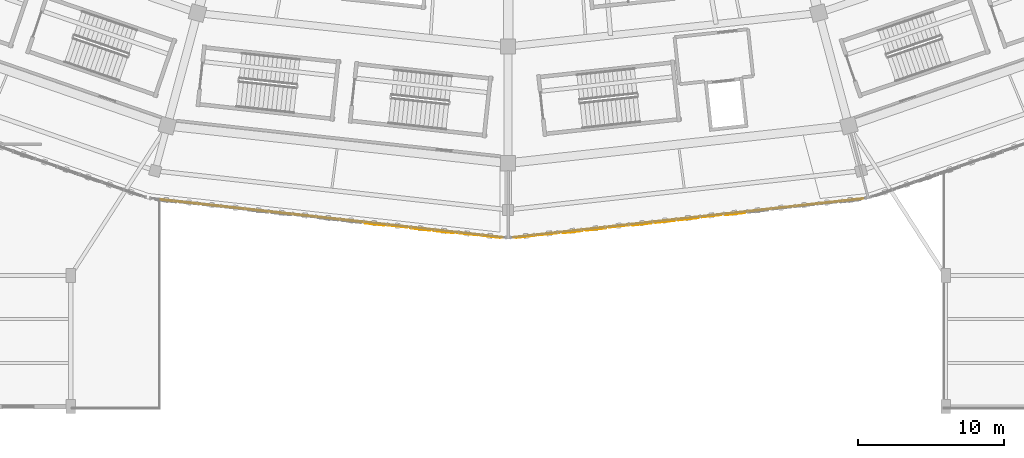
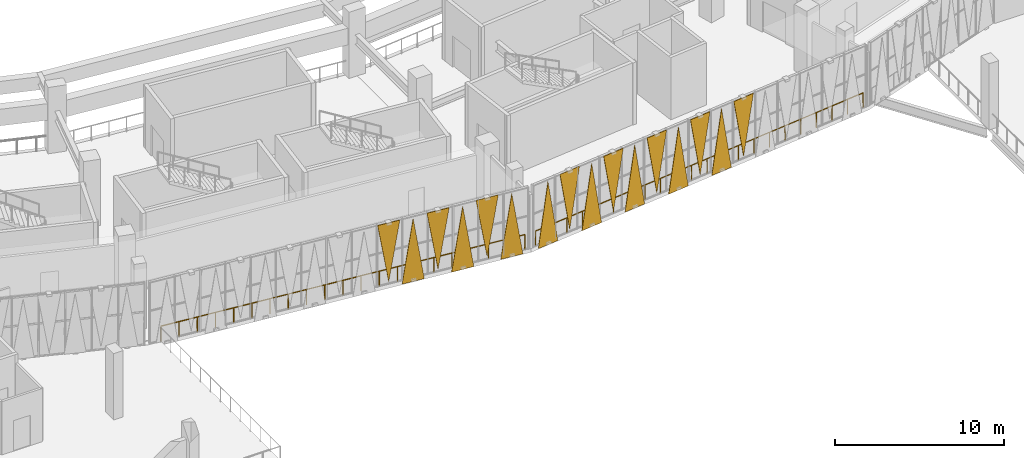
# One storey, part 133 of 179: 16 coverings, 2 railings.
"""IFC4 building model written with IfcOpenShell, lengths in metres."""

import ifcopenshell
import ifcopenshell.guid

model = None  # the IFC model being written
_history = None  # IfcOwnerHistory: only IFC2X3 demands one
_inside = {}  # id of a spatial element -> (the spatial element, [elements in it])
_under = {}  # id of a project, library or spatial element -> (it, [spatial elements below it])
_declared = {}  # id of a project -> (the project, [libraries it declares])
_typed = {}  # id of a type object -> (the type object, [elements of that type])
_made_of = {}  # id of a material, layer set ... -> (it, [elements and type objects made of it])


def new_model(schema):
    """Start an empty IFC model of exactly this schema.

    Asked for "IFC4X3", IfcOpenShell would pick the latest addendum, in which some entities
    have other attributes; the version numbers below select the first issue.
    IFC2X3 requires an IfcOwnerHistory on every rooted entity: one is made here for all.
    """
    global model, _history
    if schema == "IFC4X3":
        model = ifcopenshell.file(schema_version=(4, 3, 0, 0))
    else:
        model = ifcopenshell.file(schema=schema)
    _inside.clear()
    _under.clear()
    _declared.clear()
    _typed.clear()
    _made_of.clear()
    _history = None
    if model.schema == "IFC2X3":
        org = make("IfcOrganization", Name="unknown")
        user = make(
            "IfcPersonAndOrganization",
            ThePerson=make("IfcPerson", FamilyName="unknown"),
            TheOrganization=org,
        )
        app = make(
            "IfcApplication",
            ApplicationDeveloper=org,
            Version="unknown",
            ApplicationFullName="unknown",
            ApplicationIdentifier="unknown",
        )
        _history = make(
            "IfcOwnerHistory",
            OwningUser=user,
            OwningApplication=app,
            ChangeAction="ADDED",
            CreationDate=0,
        )
    return model


def make(cls, **values):
    """One entity of the class cls with the attributes given. An attribute that is None is left unset."""
    return model.create_entity(
        cls, **{name: value for name, value in values.items() if value is not None}
    )


def rooted(cls, **values):
    """An entity with a GlobalId (a new one), such as an element, a storey or a relation."""
    return make(cls, GlobalId=ifcopenshell.guid.new(), OwnerHistory=_history, **values)


def si_unit(unit_type, name, prefix=None):
    """IfcSIUnit, for example si_unit("LENGTHUNIT", "METRE", prefix="MILLI")."""
    return make("IfcSIUnit", UnitType=unit_type, Prefix=prefix, Name=name)


def assignment(units):
    """IfcUnitAssignment: the units of a project."""
    return None if units is None else make("IfcUnitAssignment", Units=units)


def point(xyz):
    """IfcCartesianPoint."""
    return None if xyz is None else make("IfcCartesianPoint", Coordinates=xyz)


def direction(xyz):
    """IfcDirection."""
    return None if xyz is None else make("IfcDirection", DirectionRatios=xyz)


def frame(location, z_axis=None, x_axis=None):
    """IfcAxis2Placement3D, a coordinate frame: its origin and axes. An axis left out is left unset."""
    return make(
        "IfcAxis2Placement3D",
        Location=point(location),
        Axis=direction(z_axis),
        RefDirection=direction(x_axis),
    )


def frame_2d(location, x_axis=None):
    """IfcAxis2Placement2D, a coordinate frame in the plane: its origin and x axis."""
    return make(
        "IfcAxis2Placement2D", Location=point(location), RefDirection=direction(x_axis)
    )


def origin():
    """The frame at (0, 0, 0) with its axes left unset."""
    return frame((0.0, 0.0, 0.0))


def origin_2d():
    """The frame at (0, 0) in the plane with its x axis left unset."""
    return frame_2d((0.0, 0.0))


def place(relative_to, where):
    """IfcLocalPlacement: puts the frame where relative to a parent placement (None: the world)."""
    return make(
        "IfcLocalPlacement", PlacementRelTo=relative_to, RelativePlacement=where
    )


def context(
    kind, dimensions, precision=None, world=None, true_north=None, identifier=None
):
    """IfcGeometricRepresentationContext, for example the 3D "Model" context."""
    return make(
        "IfcGeometricRepresentationContext",
        ContextIdentifier=identifier,
        ContextType=kind,
        CoordinateSpaceDimension=dimensions,
        Precision=precision,
        WorldCoordinateSystem=world,
        TrueNorth=true_north,
    )


def subcontext(parent, identifier, kind, view, scale=None):
    """IfcGeometricRepresentationSubContext, for example "Body" below "Model"."""
    return make(
        "IfcGeometricRepresentationSubContext",
        ContextIdentifier=identifier,
        ContextType=kind,
        ParentContext=parent,
        TargetScale=scale,
        TargetView=view,
    )


def project(units=None, contexts=None):
    """IfcProject with its units and contexts."""
    return rooted(
        "IfcProject",
        Name="project",
        RepresentationContexts=contexts,
        UnitsInContext=assignment(units),
    )


def spatial(cls, under=None, at=None, **own):
    """A site, building, storey or space (cls), placed at a placement, below another one or the project."""
    s = rooted(cls, ObjectPlacement=at, **own)
    if under is not None:
        _under.setdefault(under.id(), (under, []))[1].append(s)
    return s


def polyline(points):
    """IfcPolyline through the points."""
    return make("IfcPolyline", Points=[point(p) for p in points])


def profile(cls, at=None, kind="AREA", **sizes):
    """A parametric profile (cls). Its sizes go by their IFC names, for example OverallWidth=200.0."""
    return make(cls, ProfileType=kind, Position=at, **sizes)


def circle(**sizes):
    """IfcCircleProfileDef."""
    return profile("IfcCircleProfileDef", **sizes)


def outline(outer, holes=None, kind="AREA"):
    """IfcArbitraryClosedProfileDef: a profile drawn as a closed curve; with holes, ...WithVoids."""
    if holes is None:
        return make("IfcArbitraryClosedProfileDef", ProfileType=kind, OuterCurve=outer)
    return make(
        "IfcArbitraryProfileDefWithVoids",
        ProfileType=kind,
        OuterCurve=outer,
        InnerCurves=holes,
    )


def extrude(swept, where, along, depth):
    """IfcExtrudedAreaSolid: the profile swept, set in the frame where, extruded along a direction by depth."""
    return make(
        "IfcExtrudedAreaSolid",
        SweptArea=swept,
        Position=where,
        ExtrudedDirection=direction(along),
        Depth=depth,
    )


def shape(context_of_items, identifier, shape_type, items):
    """IfcShapeRepresentation: the items that make up one representation, for example the "Body"."""
    return make(
        "IfcShapeRepresentation",
        ContextOfItems=context_of_items,
        RepresentationIdentifier=identifier,
        RepresentationType=shape_type,
        Items=items,
    )


def material(Name=None, Category=None):
    """IfcMaterial."""
    return make("IfcMaterial", Name=Name, Category=Category)


def layer(
    of_material, thickness, ventilated=None, Name=None, Category=None, Priority=None
):
    """IfcMaterialLayer: one layer of a wall or slab, of a material (None: an air gap)."""
    return make(
        "IfcMaterialLayer",
        Material=of_material,
        LayerThickness=thickness,
        IsVentilated=ventilated,
        Name=Name,
        Category=Category,
        Priority=Priority,
    )


def layer_set(layers, Name=None):
    """IfcMaterialLayerSet."""
    return make("IfcMaterialLayerSet", MaterialLayers=layers, LayerSetName=Name)


def made_of(thing, what):
    """Note that an element or type object is made of a material, layer set ...; save() writes the relation."""
    if what is not None:
        _made_of.setdefault(what.id(), (what, []))[1].append(thing)
    return thing


def type_object(cls, material=None, **own):
    """A type object (cls), such as IfcWallType, which elements share."""
    return made_of(rooted(cls, **own), material)


def element(
    cls,
    number,
    at=None,
    inside=None,
    cuts=None,
    type_object=None,
    material=None,
    context=None,
    identifier="Body",
    shape_type=None,
    held_by="IfcProductDefinitionShape",
    body=None,
    shapes=None,
    **own,
):
    """One element of the class cls, such as IfcWall. Its Tag is "e" and its number.

    at: its placement. inside: the storey or other place that contains it. cuts: it is an
    opening in that element (IfcRelVoidsElement). A single representation is given by context,
    identifier, shape_type and body (its items); several are given by shapes. held_by: the class
    of the entity that holds the representations. save() writes the other relations.
    """
    e = rooted(cls, Tag="e%d" % number, ObjectPlacement=at, **own)
    if body is not None:
        shapes = [shape(context, identifier, shape_type, body)]
    if shapes is not None:
        e.Representation = make(held_by, Representations=shapes)
    if inside is not None:
        _inside.setdefault(inside.id(), (inside, []))[1].append(e)
    if cuts is not None:
        rooted(
            "IfcRelVoidsElement", RelatingBuildingElement=cuts, RelatedOpeningElement=e
        )
    if type_object is not None:
        _typed.setdefault(type_object.id(), (type_object, []))[1].append(e)
    return made_of(e, material)


def aggregate(whole, parts):
    """IfcRelAggregates: a whole, such as a stair, and the parts it consists of."""
    return rooted("IfcRelAggregates", RelatingObject=whole, RelatedObjects=parts)


def save(model, path):
    """Write the relations noted so far, then the file.

    IfcRelAggregates (storeys below a building ...), IfcRelContainedInSpatialStructure (elements
    in a storey), IfcRelDefinesByType, IfcRelAssociatesMaterial and IfcRelDeclares: one each for
    every whole, place, type object, material and project.
    """
    for whole, parts in _under.values():
        aggregate(whole, parts)
    for where, things in _inside.values():
        rooted(
            "IfcRelContainedInSpatialStructure",
            RelatedElements=things,
            RelatingStructure=where,
        )
    for kind, things in _typed.values():
        rooted("IfcRelDefinesByType", RelatedObjects=things, RelatingType=kind)
    for what, things in _made_of.values():
        rooted("IfcRelAssociatesMaterial", RelatedObjects=things, RelatingMaterial=what)
    for by, libraries in _declared.values():
        rooted("IfcRelDeclares", RelatingContext=by, RelatedDefinitions=libraries)
    model.write(path)


model = new_model("IFC4")

# Units and contexts
model_context = context("Model", 3, precision=1e-05, world=origin(), true_north=direction((0.0, 1.0)))
body_context = subcontext(model_context, "Body", "Model", "MODEL_VIEW")
ifc_project = project(units=[si_unit("LENGTHUNIT", "METRE"), si_unit("AREAUNIT", "SQUARE_METRE"), si_unit("VOLUMEUNIT", "CUBIC_METRE"), si_unit("PLANEANGLEUNIT", "RADIAN"), si_unit("MASSUNIT", "GRAM", prefix="KILO")], contexts=[model_context])

# Site, building, storey
site_placement = place(None, origin())
site = spatial("IfcSite", under=ifc_project, at=site_placement, CompositionType="ELEMENT")
building_placement = place(site_placement, origin())
building = spatial("IfcBuilding", under=site, at=building_placement, Name="Zevraka Park Crest Stadium", CompositionType="ELEMENT")
storey_placement = place(building_placement, frame((0.0, 0.0, 10.199951171875)))
storey = spatial("IfcBuildingStorey", under=building, at=storey_placement, Name="L02", CompositionType="ELEMENT", Elevation=10.199951171875)

# Coverings
ifc_material_1 = material(Name="Architectural golden-bronze perforated aluminium", Category="aluminium")
ifc_layer = layer(ifc_material_1, 0.034912109375)
ifc_layer_set = layer_set([ifc_layer], Name="Architectural golden-bronze perforated aluminium")
covering_type = type_object("IfcCoveringType", Name="CLD01", PredefinedType="CLADDING", material=ifc_layer_set)
covering_1_placement = place(storey_placement, frame((103.531982421875, 12.43994140625, 4.47998046875), z_axis=(0.109872351126, 0.993945705007, 4.4223378e-05), x_axis=(-0.993945705979, 0.109872351233, 0.0)))
element("IfcCovering", 1, at=covering_1_placement, inside=storey, type_object=covering_type, Name="Triangular Golden-Bronze Perforated Cladding L02-17-10", PredefinedType="CLADDING", context=body_context, shape_type="SweptSolid", body=[
    extrude(outline(polyline([(0.0, 0.0), (1.4376590889512042, -8.470329472543003e-22), (0.7182363003131678, -4.260009769790666), (0.0, 0.0)])), origin(), (0.0, 0.0, -1.0), 0.034912109375),
])
covering_2_placement = place(storey_placement, frame((103.69091796875, 12.422119140625, -0.239990234375), z_axis=(-0.110617734721, -0.993863021467, 0.000106420711), x_axis=(0.993863027095, -0.110617735348, 0.0)))
element("IfcCovering", 2, at=covering_2_placement, inside=storey, type_object=covering_type, Name="Triangular Golden-Bronze Perforated Cladding L02-17-11", PredefinedType="CLADDING", context=body_context, shape_type="SweptSolid", body=[
    extrude(outline(polyline([(0.0, 0.0), (1.4390069277757649, 0.0), (0.7194494513217948, 4.56005861957217), (0.0, 0.0)])), origin(), (0.0, 0.0, -1.0), 0.034912109375),
])
covering_3_placement = place(storey_placement, frame((106.708984375, 12.0869140625, 4.47998046875), z_axis=(0.110711073677, 0.993852629191, 9.8053045e-05), x_axis=(-0.993852633969, 0.110711074209, 0.0)))
element("IfcCovering", 3, at=covering_3_placement, inside=storey, type_object=covering_type, Name="Triangular Golden-Bronze Perforated Cladding L02-17-12", PredefinedType="CLADDING", context=body_context, shape_type="SweptSolid", body=[
    extrude(outline(polyline([(0.0, 0.0), (1.4377937224135535, 3.3881317890172014e-21), (0.7195575188565184, -4.26000978610372), (0.0, 0.0)])), origin(), (0.0, 0.0, -1.0), 0.034912109375),
])
covering_4_placement = place(storey_placement, frame((106.867919921875, 12.070068359375, -0.239990234375), z_axis=(0.110692393142, 0.993854707748, 0.000118272524), x_axis=(0.993854714699, -0.110692393916, 0.0)))
element("IfcCovering", 4, at=covering_4_placement, inside=storey, type_object=covering_type, Name="Triangular Golden-Bronze Perforated Cladding L02-17-13", PredefinedType="CLADDING", context=body_context, shape_type="SweptSolid", body=[
    extrude(outline(polyline([(0.0, 0.0), (1.4380363624707853, 3.3881317890172014e-21), (0.7185869496334478, -4.560058625643939), (0.0, 0.0)])), origin(), (0.0, 0.0, -1.0), 0.034912109375),
])
covering_5_placement = place(storey_placement, frame((109.885009765625, 11.735107421875, 4.47998046875), z_axis=(-0.109872351126, -0.993945705007, 4.4223378e-05), x_axis=(-0.993945705979, 0.109872351233, 0.0)))
element("IfcCovering", 5, at=covering_5_placement, inside=storey, type_object=covering_type, Name="Triangular Golden-Bronze Perforated Cladding L02-17-14", PredefinedType="CLADDING", context=body_context, shape_type="SweptSolid", body=[
    extrude(outline(polyline([(0.0, 0.0), (1.4376590889512042, -8.470329472543003e-22), (0.7194227886380365, 4.260009769790666), (0.0, 0.0)])), origin(), (0.0, 0.0, -1.0), 0.034912109375),
])
covering_6_placement = place(storey_placement, frame((110.0439453125, 11.717041015625, -0.239990234375), z_axis=(-0.110543347983, -0.993871299146, 9.4612128e-05), x_axis=(0.993871303594, -0.110543348478, 0.0)))
element("IfcCovering", 6, at=covering_6_placement, inside=storey, type_object=covering_type, Name="Triangular Golden-Bronze Perforated Cladding L02-17-15", PredefinedType="CLADDING", context=body_context, shape_type="SweptSolid", body=[
    extrude(outline(polyline([(0.0, 0.0), (1.4377667138168417, 0.0), (0.719449485628213, 4.560058614159578), (0.0, 0.0)])), origin(), (0.0, 0.0, -1.0), 0.034912109375),
])
covering_7_placement = place(storey_placement, frame((112.527099609375, 11.55810546875, -0.239990234375), z_axis=(0.110543347983, -0.993871299146, 9.4612128e-05), x_axis=(0.993871303594, 0.110543348478, 0.0)))
element("IfcCovering", 7, at=covering_7_placement, inside=storey, type_object=covering_type, Name="Triangular Golden-Bronze Perforated Cladding L02-18-1", PredefinedType="CLADDING", context=body_context, shape_type="SweptSolid", body=[
    extrude(outline(polyline([(0.0, 0.0), (1.4377667138168417, 0.0), (0.7183172281886288, 4.560058614159578), (0.0, 0.0)])), origin(), (0.0, 0.0, -1.0), 0.034912109375),
])
covering_8_placement = place(storey_placement, frame((115.5439453125, 11.89306640625, 4.47998046875), z_axis=(0.109872351126, -0.993945705007, 4.4223378e-05), x_axis=(-0.993945705979, -0.109872351233, 0.0)))
element("IfcCovering", 8, at=covering_8_placement, inside=storey, type_object=covering_type, Name="Triangular Golden-Bronze Perforated Cladding L02-18-2", PredefinedType="CLADDING", context=body_context, shape_type="SweptSolid", body=[
    extrude(outline(polyline([(0.0, 0.0), (1.4376590889512042, 8.470329472543003e-22), (0.7182363003131678, 4.260009769790666), (0.0, 0.0)])), origin(), (0.0, 0.0, -1.0), 0.034912109375),
])
covering_9_placement = place(storey_placement, frame((115.702880859375, 11.910888671875, -0.239990234375), z_axis=(-0.110692393142, 0.993854707748, 0.000118272524), x_axis=(0.993854714699, 0.110692393916, 0.0)))
element("IfcCovering", 9, at=covering_9_placement, inside=storey, type_object=covering_type, Name="Triangular Golden-Bronze Perforated Cladding L02-18-3", PredefinedType="CLADDING", context=body_context, shape_type="SweptSolid", body=[
    extrude(outline(polyline([(0.0, 0.0), (1.4380363624707853, -3.3881317890172014e-21), (0.7194494128373375, -4.560058625643939), (0.0, 0.0)])), origin(), (0.0, 0.0, -1.0), 0.034912109375),
])
covering_10_placement = place(storey_placement, frame((118.719970703125, 12.24609375, 4.47998046875), z_axis=(-0.110711073677, 0.993852629191, 9.8053045e-05), x_axis=(-0.993852633969, -0.110711074209, 0.0)))
element("IfcCovering", 10, at=covering_10_placement, inside=storey, type_object=covering_type, Name="Triangular Golden-Bronze Perforated Cladding L02-18-4", PredefinedType="CLADDING", context=body_context, shape_type="SweptSolid", body=[
    extrude(outline(polyline([(0.0, 0.0), (1.4377937224135535, -3.3881317890172014e-21), (0.7182362035570351, -4.26000978610372), (0.0, 0.0)])), origin(), (0.0, 0.0, -1.0), 0.034912109375),
])
covering_11_placement = place(storey_placement, frame((118.87890625, 12.262939453125, -0.239990234375), z_axis=(0.110617734721, -0.993863021467, 0.000106420711), x_axis=(0.993863027095, 0.110617735348, 0.0)))
element("IfcCovering", 11, at=covering_11_placement, inside=storey, type_object=covering_type, Name="Triangular Golden-Bronze Perforated Cladding L02-18-5", PredefinedType="CLADDING", context=body_context, shape_type="SweptSolid", body=[
    extrude(outline(polyline([(0.0, 0.0), (1.4390069277757649, 0.0), (0.7195574764539702, 4.56005861957217), (0.0, 0.0)])), origin(), (0.0, 0.0, -1.0), 0.034912109375),
])
covering_12_placement = place(storey_placement, frame((121.89697265625, 12.597900390625, 4.47998046875), z_axis=(-0.109872351126, 0.993945705007, 4.4223378e-05), x_axis=(-0.993945705979, -0.109872351233, 0.0)))
element("IfcCovering", 12, at=covering_12_placement, inside=storey, type_object=covering_type, Name="Triangular Golden-Bronze Perforated Cladding L02-18-6", PredefinedType="CLADDING", context=body_context, shape_type="SweptSolid", body=[
    extrude(outline(polyline([(0.0, 0.0), (1.4376590889512042, 8.470329472543003e-22), (0.7194227886380365, -4.260009769790666), (0.0, 0.0)])), origin(), (0.0, 0.0, -1.0), 0.034912109375),
])
covering_13_placement = place(storey_placement, frame((122.055908203125, 12.615966796875, -0.239990234375), z_axis=(-0.110524695528, 0.993873375766, 6.7981619e-05), x_axis=(0.993873378063, 0.110524695784, 0.0)))
element("IfcCovering", 13, at=covering_13_placement, inside=storey, type_object=covering_type, Name="Triangular Golden-Bronze Perforated Cladding L02-18-7", PredefinedType="CLADDING", context=body_context, shape_type="SweptSolid", body=[
    extrude(outline(polyline([(0.0, 0.0), (1.4380093584313232, 0.0), (0.7184789141278195, -4.560058604287158), (0.0, 0.0)])), origin(), (0.0, 0.0, -1.0), 0.034912109375),
])
covering_14_placement = place(storey_placement, frame((125.072998046875, 12.950927734375, 4.47998046875), z_axis=(-0.110543347094, 0.993871291151, 0.000158234661), x_axis=(-0.993871303594, -0.110543348478, 0.0)))
element("IfcCovering", 14, at=covering_14_placement, inside=storey, type_object=covering_type, Name="Triangular Golden-Bronze Perforated Cladding L02-18-8", PredefinedType="CLADDING", context=body_context, shape_type="SweptSolid", body=[
    extrude(outline(polyline([(0.0, 0.0), (1.4377667138168417, 0.0), (0.719422497506026, -4.260009818956506), (0.0, 0.0)])), origin(), (0.0, 0.0, -1.0), 0.034912109375),
])
covering_15_placement = place(storey_placement, frame((125.23193359375, 12.968017578125, -0.239990234375), z_axis=(0.110543347705, -0.993871296647, 0.000118231067), x_axis=(0.993871303594, 0.110543348478, 0.0)))
element("IfcCovering", 15, at=covering_15_placement, inside=storey, type_object=covering_type, Name="Triangular Golden-Bronze Perforated Cladding L02-18-9", PredefinedType="CLADDING", context=body_context, shape_type="SweptSolid", body=[
    extrude(outline(polyline([(0.0, 0.0), (1.4377667138168417, -3.3881317890172014e-21), (0.7195574381169606, 4.5600586256215845), (0.0, 0.0)])), origin(), (0.0, 0.0, -1.0), 0.034912109375),
])
covering_16_placement = place(storey_placement, frame((128.2490234375, 13.302978515625, 4.47998046875), z_axis=(-0.109872351213, 0.993945705799, 1.9036296e-05), x_axis=(-0.993945705979, -0.109872351233, 0.0)))
element("IfcCovering", 16, at=covering_16_placement, inside=storey, type_object=covering_type, Name="Triangular Golden-Bronze Perforated Cladding L02-18-10", PredefinedType="CLADDING", context=body_context, shape_type="SweptSolid", body=[
    extrude(outline(polyline([(0.0, 0.0), (1.4376590889512042, 0.0), (0.7184521385345413, -4.260009766396873), (0.0, 0.0)])), origin(), (0.0, 0.0, -1.0), 0.034912109375),
])

# Railings
ifc_material_2 = material(Name="Galvanised and bronze-finished steel balustrade", Category="steel")
railing_type = type_object("IfcRailingType", Name="GR01", PredefinedType="GUARDRAIL", material=ifc_material_2)
railing_1_placement = place(storey_placement, frame((136.346923828125, 14.27197265625, 0.0)))
element("IfcRailing", 17, at=railing_1_placement, inside=storey, type_object=railing_type, Name="Deck Edge Protection Guardrail GR01 L02-33", PredefinedType="GUARDRAIL", context=body_context, shape_type="SweptSolid", body=[
    extrude(circle(Radius=0.02392578125, at=origin_2d()), frame((0.0, 0.0, 1.076171875), z_axis=(-0.993898289298, -0.110300455712, 0.0), x_axis=(0.110300455712, -0.993898289298, 0.0)), (0.0, 0.0, 1.0), 24.1240234375),
    extrude(circle(Radius=0.02099609375, at=origin_2d()), origin(), (0.0, 0.0, 1.0), 1.052001953125),
    extrude(circle(Radius=0.02099609375, at=origin_2d()), frame((-1.141845703125, -0.126708984375, 0.0)), (0.0, 0.0, 1.0), 1.052001953125),
    extrude(circle(Radius=0.02099609375, at=origin_2d()), frame((-2.283447265625, -0.25341796875, 0.0)), (0.0, 0.0, 1.0), 1.052001953125),
    extrude(circle(Radius=0.02099609375, at=origin_2d()), frame((-3.42529296875, -0.380126953125, 0.0)), (0.0, 0.0, 1.0), 1.052001953125),
    extrude(circle(Radius=0.02099609375, at=origin_2d()), frame((-4.56689453125, -0.5068359375, 0.0)), (0.0, 0.0, 1.0), 1.052001953125),
    extrude(circle(Radius=0.02099609375, at=origin_2d()), frame((-5.708740234375, -0.633544921875, 0.0)), (0.0, 0.0, 1.0), 1.052001953125),
    extrude(circle(Radius=0.02099609375, at=origin_2d()), frame((-6.8505859375, -0.76025390625, 0.0)), (0.0, 0.0, 1.0), 1.052001953125),
    extrude(circle(Radius=0.02099609375, at=origin_2d()), frame((-7.9921875, -0.886962890625, 0.0)), (0.0, 0.0, 1.0), 1.052001953125),
    extrude(circle(Radius=0.02099609375, at=origin_2d()), frame((-9.134033203125, -1.013671875, 0.0)), (0.0, 0.0, 1.0), 1.052001953125),
    extrude(circle(Radius=0.02099609375, at=origin_2d()), frame((-10.27587890625, -1.140380859375, 0.0)), (0.0, 0.0, 1.0), 1.052001953125),
    extrude(circle(Radius=0.02099609375, at=origin_2d()), frame((-11.41748046875, -1.26708984375, 0.0)), (0.0, 0.0, 1.0), 1.052001953125),
    extrude(circle(Radius=0.02099609375, at=origin_2d()), frame((-12.559326171875, -1.393798828125, 0.0)), (0.0, 0.0, 1.0), 1.052001953125),
    extrude(circle(Radius=0.02099609375, at=origin_2d()), frame((-13.700927734375, -1.5205078125, 0.0)), (0.0, 0.0, 1.0), 1.052001953125),
    extrude(circle(Radius=0.02099609375, at=origin_2d()), frame((-14.8427734375, -1.647216796875, 0.0)), (0.0, 0.0, 1.0), 1.052001953125),
    extrude(circle(Radius=0.02099609375, at=origin_2d()), frame((-15.984619140625, -1.77392578125, 0.0)), (0.0, 0.0, 1.0), 1.052001953125),
    extrude(circle(Radius=0.02099609375, at=origin_2d()), frame((-17.126220703125, -1.900634765625, 0.0)), (0.0, 0.0, 1.0), 1.052001953125),
    extrude(circle(Radius=0.02099609375, at=origin_2d()), frame((-18.26806640625, -2.02734375, 0.0)), (0.0, 0.0, 1.0), 1.052001953125),
    extrude(circle(Radius=0.02099609375, at=origin_2d()), frame((-19.409912109375, -2.154052734375, 0.0)), (0.0, 0.0, 1.0), 1.052001953125),
    extrude(circle(Radius=0.02099609375, at=origin_2d()), frame((-20.551513671875, -2.28076171875, 0.0)), (0.0, 0.0, 1.0), 1.052001953125),
    extrude(circle(Radius=0.02099609375, at=origin_2d()), frame((-21.693359375, -2.407470703125, 0.0)), (0.0, 0.0, 1.0), 1.052001953125),
    extrude(circle(Radius=0.02099609375, at=origin_2d()), frame((-22.8349609375, -2.5341796875, 0.0)), (0.0, 0.0, 1.0), 1.052001953125),
    extrude(circle(Radius=0.02099609375, at=origin_2d()), frame((-23.976806640625, -2.660888671875, 0.0)), (0.0, 0.0, 1.0), 1.052001953125),
])
railing_2_placement = place(storey_placement, frame((111.6298828125, 11.611083984375, 0.0)))
element("IfcRailing", 18, at=railing_2_placement, inside=storey, type_object=railing_type, Name="Deck Edge Protection Guardrail GR01 L02-34", PredefinedType="GUARDRAIL", context=body_context, shape_type="SweptSolid", body=[
    extrude(circle(Radius=0.02392578125, at=origin_2d()), frame((0.0, 0.0, 1.076171875), z_axis=(-0.9939605068, 0.109738374879, 0.0), x_axis=(-0.109738374879, -0.9939605068, 0.0)), (0.0, 0.0, 1.0), 23.582275390625),
    extrude(circle(Radius=0.02099609375, at=origin_2d()), origin(), (0.0, 0.0, 1.0), 1.052001953125),
    extrude(circle(Radius=0.02099609375, at=origin_2d()), frame((-1.171875, 0.12939453125, 0.0)), (0.0, 0.0, 1.0), 1.052001953125),
    extrude(circle(Radius=0.02099609375, at=origin_2d()), frame((-2.343994140625, 0.2587890625, 0.0)), (0.0, 0.0, 1.0), 1.052001953125),
    extrude(circle(Radius=0.02099609375, at=origin_2d()), frame((-3.51611328125, 0.38818359375, 0.0)), (0.0, 0.0, 1.0), 1.052001953125),
    extrude(circle(Radius=0.02099609375, at=origin_2d()), frame((-4.68798828125, 0.517578125, 0.0)), (0.0, 0.0, 1.0), 1.052001953125),
    extrude(circle(Radius=0.02099609375, at=origin_2d()), frame((-5.85986328125, 0.64697265625, 0.0)), (0.0, 0.0, 1.0), 1.052001953125),
    extrude(circle(Radius=0.02099609375, at=origin_2d()), frame((-7.031982421875, 0.7763671875, 0.0)), (0.0, 0.0, 1.0), 1.052001953125),
    extrude(circle(Radius=0.02099609375, at=origin_2d()), frame((-8.2041015625, 0.90576171875, 0.0)), (0.0, 0.0, 1.0), 1.052001953125),
    extrude(circle(Radius=0.02099609375, at=origin_2d()), frame((-9.3759765625, 1.03515625, 0.0)), (0.0, 0.0, 1.0), 1.052001953125),
    extrude(circle(Radius=0.02099609375, at=origin_2d()), frame((-10.5478515625, 1.16455078125, 0.0)), (0.0, 0.0, 1.0), 1.052001953125),
    extrude(circle(Radius=0.02099609375, at=origin_2d()), frame((-11.719970703125, 1.2939453125, 0.0)), (0.0, 0.0, 1.0), 1.052001953125),
    extrude(circle(Radius=0.02099609375, at=origin_2d()), frame((-12.89208984375, 1.42333984375, 0.0)), (0.0, 0.0, 1.0), 1.052001953125),
    extrude(circle(Radius=0.02099609375, at=origin_2d()), frame((-14.06396484375, 1.552734375, 0.0)), (0.0, 0.0, 1.0), 1.052001953125),
    extrude(circle(Radius=0.02099609375, at=origin_2d()), frame((-15.23583984375, 1.68212890625, 0.0)), (0.0, 0.0, 1.0), 1.052001953125),
    extrude(circle(Radius=0.02099609375, at=origin_2d()), frame((-16.407958984375, 1.8115234375, 0.0)), (0.0, 0.0, 1.0), 1.052001953125),
    extrude(circle(Radius=0.02099609375, at=origin_2d()), frame((-17.580078125, 1.94091796875, 0.0)), (0.0, 0.0, 1.0), 1.052001953125),
    extrude(circle(Radius=0.02099609375, at=origin_2d()), frame((-18.751953125, 2.0703125, 0.0)), (0.0, 0.0, 1.0), 1.052001953125),
    extrude(circle(Radius=0.02099609375, at=origin_2d()), frame((-19.923828125, 2.19970703125, 0.0)), (0.0, 0.0, 1.0), 1.052001953125),
    extrude(circle(Radius=0.02099609375, at=origin_2d()), frame((-21.095947265625, 2.3291015625, 0.0)), (0.0, 0.0, 1.0), 1.052001953125),
    extrude(circle(Radius=0.02099609375, at=origin_2d()), frame((-22.26806640625, 2.45849609375, 0.0)), (0.0, 0.0, 1.0), 1.052001953125),
    extrude(circle(Radius=0.02099609375, at=origin_2d()), frame((-23.43994140625, 2.587890625, 0.0)), (0.0, 0.0, 1.0), 1.052001953125),
])

save(model, "model.ifc")
